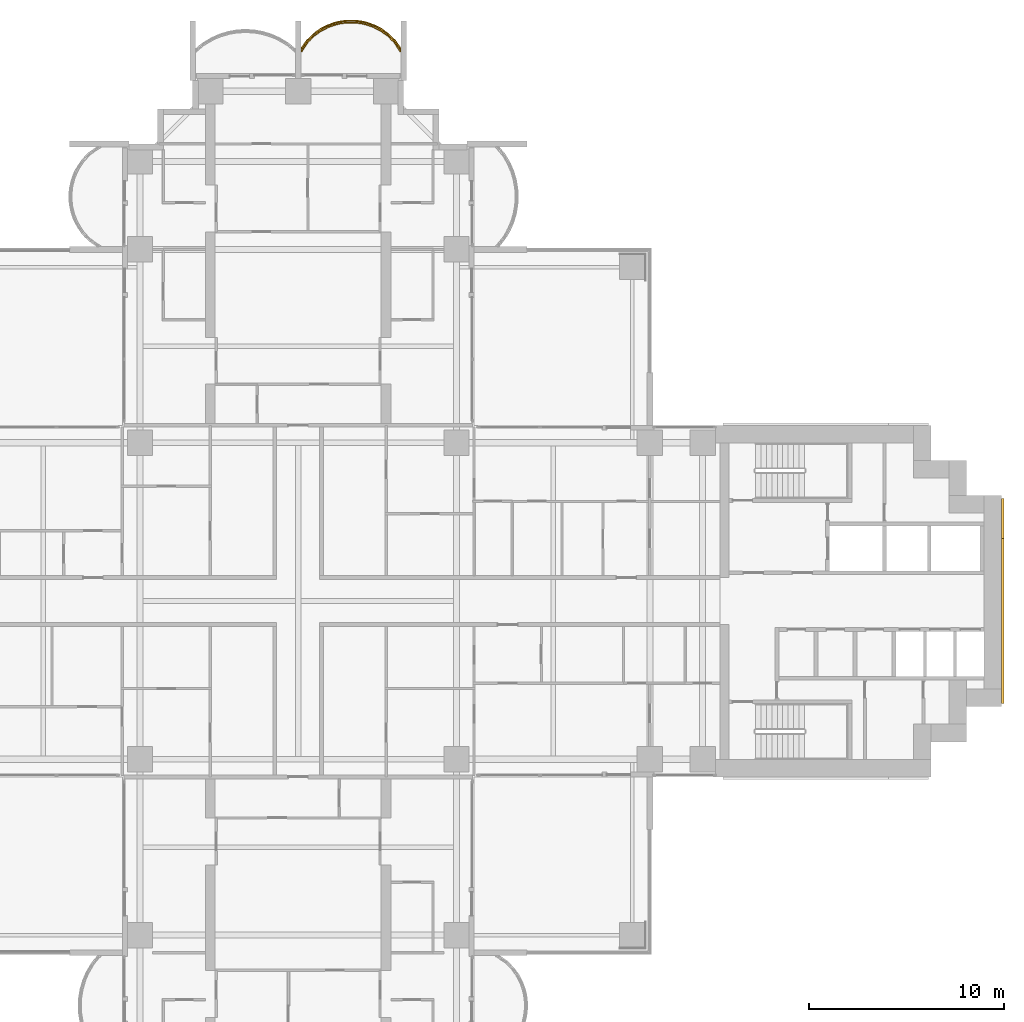
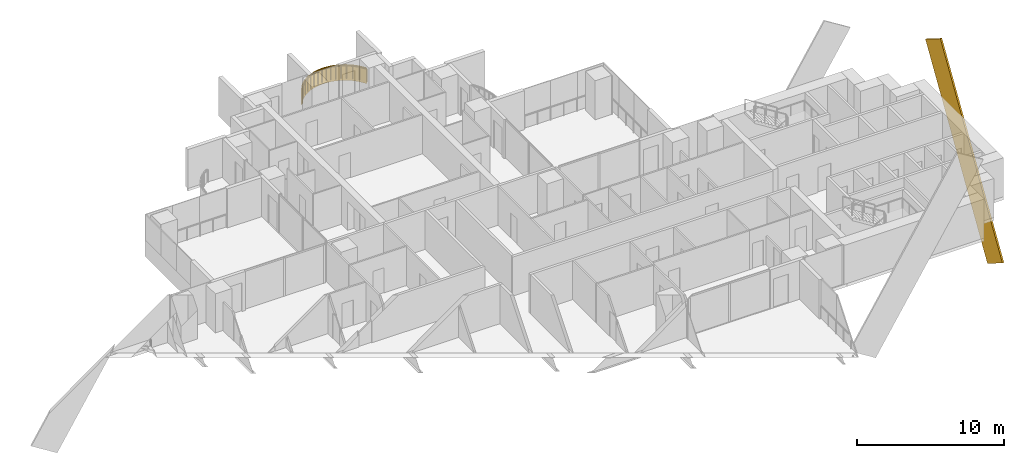
# One storey, part 23 of 23: 2 coverings, 1 railing.
"""IFC4 building model written with IfcOpenShell, lengths in metres."""

from ifc_helpers import new_model, si_unit, direction, frame, origin, origin_2d, place, context, subcontext, project, spatial, polyline, rectangle, outline, extrude, material, layer, layer_set, material_profile, profile_set, type_object, element, save


model = new_model("IFC4")

# Units and contexts
model_context = context("Model", 3, precision=1e-05, world=origin(), true_north=direction((0.0, 1.0)))
body_context = subcontext(model_context, "Body", "Model", "MODEL_VIEW")
ifc_project = project(units=[si_unit("LENGTHUNIT", "METRE"), si_unit("AREAUNIT", "SQUARE_METRE"), si_unit("VOLUMEUNIT", "CUBIC_METRE"), si_unit("PLANEANGLEUNIT", "RADIAN"), si_unit("MASSUNIT", "GRAM", prefix="KILO")], contexts=[model_context])

# Site, building, storey
site_placement = place(None, origin())
site = spatial("IfcSite", under=ifc_project, at=site_placement, CompositionType="ELEMENT")
building_placement = place(site_placement, origin())
building = spatial("IfcBuilding", under=site, at=building_placement, Name="Perihelion Cross Residences", CompositionType="ELEMENT")
storey_placement = place(building_placement, frame((0.0, 0.0, 85.5)))
storey = spatial("IfcBuildingStorey", under=building, at=storey_placement, Name="L19", CompositionType="ELEMENT", Elevation=85.5)

# Covering
ifc_material_1 = material(Name="Bronze anodised aluminium", Category="aluminium")
ifc_layer = layer(ifc_material_1, 0.070068359375)
ifc_layer_set = layer_set([ifc_layer], Name="Balcony fascia 1300")
covering_type_1 = type_object("IfcCoveringType", Name="Balcony fascia 1300", PredefinedType="CLADDING", material=ifc_layer_set)
covering_1_placement = place(storey_placement, frame((0.0, 0.0, -0.199951171875)))
element("IfcCovering", 1, at=covering_1_placement, inside=storey, type_object=covering_type_1, Name="Fascia BF1 L19 north tip north bay 1", PredefinedType="CLADDING", context=body_context, shape_type="SweptSolid", body=[
    extrude(outline(polyline([(4.963134765625, 28.722412109375), (4.61474609375, 29.060791015625), (4.2666015625, 29.308837890625), (3.91845703125, 29.4912109375), (3.5703125, 29.620361328125), (3.22216796875, 29.703369140625), (2.8740234375, 29.743896484375), (2.52587890625, 29.743896484375), (2.177734375, 29.703369140625), (1.82958984375, 29.620361328125), (1.4814453125, 29.4912109375), (1.13330078125, 29.308837890625), (0.78515625, 29.060791015625), (0.43701171875, 28.722412109375), (0.14990234375, 28.320556640625), (0.14990234375, 28.199951171875), (0.489990234375, 28.6767578125), (0.830078125, 29.007080078125), (1.169921875, 29.2490234375), (1.510009765625, 29.42724609375), (1.85009765625, 29.553466796875), (2.18994140625, 29.63427734375), (2.530029296875, 29.674072265625), (2.8701171875, 29.674072265625), (3.2099609375, 29.63427734375), (3.550048828125, 29.553466796875), (3.889892578125, 29.42724609375), (4.22998046875, 29.2490234375), (4.570068359375, 29.007080078125), (4.909912109375, 28.6767578125), (5.25, 28.199951171875), (5.25, 28.320556640625), (4.963134765625, 28.722412109375)])), origin(), (0.0, 0.0, 1.0), 1.300048828125),
])

# Railing
ifc_material_2 = material(Name="Bronze anodised aluminium", Category="aluminium")
railing_type = type_object("IfcRailingType", Name="Balcony guard 1100", PredefinedType="GUARDRAIL", material=ifc_material_2)
railing_placement = place(storey_placement, frame((5.22509765625, 28.139892578125, 0.0)))
element("IfcRailing", 2, at=railing_placement, inside=storey, type_object=railing_type, Name="Guard GU1 L19 north tip north bay 1 balcony", PredefinedType="GUARDRAIL", context=body_context, shape_type="SweptSolid", body=[
    extrude(rectangle(XDim=0.048095703125, YDim=0.048095703125, at=origin_2d()), frame((0.0, 0.0, 1.076171875), z_axis=(-0.55144309028, 0.834212513801, 0.0), x_axis=(-0.834212513801, -0.55144309028, 0.0)), (0.0, 0.0, 1.0), 0.571533203125),
    extrude(rectangle(XDim=0.048095703125, YDim=0.048095703125, at=origin_2d()), frame((-0.315185546875, 0.476806640625, 1.076171875), z_axis=(-0.717080736691, 0.696990112603, 0.0), x_axis=(-0.696990112603, -0.717080736691, 0.0)), (0.0, 0.0, 1.0), 0.473876953125),
    extrude(rectangle(XDim=0.048095703125, YDim=0.048095703125, at=origin_2d()), frame((-0.655029296875, 0.80712890625, 1.076171875), z_axis=(-0.814562360662, 0.580075995532, 0.0), x_axis=(-0.580075995532, -0.814562360662, 0.0)), (0.0, 0.0, 1.0), 0.41748046875),
    extrude(rectangle(XDim=0.048095703125, YDim=0.048095703125, at=origin_2d()), frame((-0.9951171875, 1.04931640625, 1.076171875), z_axis=(-0.886005761733, 0.463674228502, 0.0), x_axis=(-0.463674228502, -0.886005761733, 0.0)), (0.0, 0.0, 1.0), 0.3837890625),
    extrude(rectangle(XDim=0.048095703125, YDim=0.048095703125, at=origin_2d()), frame((-1.335205078125, 1.227294921875, 1.076171875), z_axis=(-0.937431552165, 0.348169621027, 0.0), x_axis=(-0.348169621027, -0.937431552165, 0.0)), (0.0, 0.0, 1.0), 0.362548828125),
    extrude(rectangle(XDim=0.048095703125, YDim=0.048095703125, at=origin_2d()), frame((-1.675048828125, 1.353515625, 1.076171875), z_axis=(-0.972753741142, 0.231840805498, 0.0), x_axis=(-0.231840805498, -0.972753741142, 0.0)), (0.0, 0.0, 1.0), 0.349609375),
    extrude(rectangle(XDim=0.048095703125, YDim=0.048095703125, at=origin_2d()), frame((-2.01513671875, 1.4345703125, 1.076171875), z_axis=(-0.993295952156, 0.11559909788, 0.0), x_axis=(-0.11559909788, -0.993295952156, 0.0)), (0.0, 0.0, 1.0), 0.342041015625),
    extrude(rectangle(XDim=0.048095703125, YDim=0.048095703125, at=origin_2d()), frame((-2.35498046875, 1.47412109375, 1.076171875), z_axis=(-1.0, 0.0, 0.0), x_axis=(0.0, -1.0, 0.0)), (0.0, 0.0, 1.0), 0.340087890625),
    extrude(rectangle(XDim=0.048095703125, YDim=0.048095703125, at=origin_2d()), frame((-2.695068359375, 1.47412109375, 1.076171875), z_axis=(-0.993305477634, -0.11551721994, 0.0), x_axis=(0.11551721994, -0.993305477634, 0.0)), (0.0, 0.0, 1.0), 0.34228515625),
    extrude(rectangle(XDim=0.048095703125, YDim=0.048095703125, at=origin_2d()), frame((-3.03515625, 1.4345703125, 1.076171875), z_axis=(-0.972716168284, -0.231998396458, 0.0), x_axis=(0.231998396458, -0.972716168284, 0.0)), (0.0, 0.0, 1.0), 0.349365234375),
    extrude(rectangle(XDim=0.048095703125, YDim=0.048095703125, at=origin_2d()), frame((-3.375, 1.353515625, 1.076171875), z_axis=(-0.93751311099, -0.347949948587, 0.0), x_axis=(0.347949948587, -0.93751311099, 0.0)), (0.0, 0.0, 1.0), 0.36279296875),
    extrude(rectangle(XDim=0.048095703125, YDim=0.048095703125, at=origin_2d()), frame((-3.715087890625, 1.227294921875, 1.076171875), z_axis=(-0.886005761733, -0.463674228502, 0.0), x_axis=(0.463674228502, -0.886005761733, 0.0)), (0.0, 0.0, 1.0), 0.3837890625),
    extrude(rectangle(XDim=0.048095703125, YDim=0.048095703125, at=origin_2d()), frame((-4.05517578125, 1.04931640625, 1.076171875), z_axis=(-0.814365457194, -0.580352394782, 0.0), x_axis=(0.580352394782, -0.814365457194, 0.0)), (0.0, 0.0, 1.0), 0.417236328125),
    extrude(rectangle(XDim=0.048095703125, YDim=0.048095703125, at=origin_2d()), frame((-4.39501953125, 0.80712890625, 1.076171875), z_axis=(-0.717330852669, -0.69673269466, 0.0), x_axis=(0.69673269466, -0.717330852669, 0.0)), (0.0, 0.0, 1.0), 0.47412109375),
    extrude(rectangle(XDim=0.048095703125, YDim=0.048095703125, at=origin_2d()), frame((-4.735107421875, 0.476806640625, 1.076171875), z_axis=(-0.551145731138, -0.834409002258, 0.0), x_axis=(0.834409002258, -0.551145731138, 0.0)), (0.0, 0.0, 1.0), 0.571533203125),
    extrude(rectangle(XDim=0.0419921875, YDim=0.0419921875, at=origin_2d()), origin(), (0.0, 0.0, 1.0), 1.052001953125),
    extrude(rectangle(XDim=0.0419921875, YDim=0.0419921875, at=origin_2d()), frame((-0.315185546875, 0.476806640625, 0.0)), (0.0, 0.0, 1.0), 1.052001953125),
    extrude(rectangle(XDim=0.0419921875, YDim=0.0419921875, at=origin_2d()), frame((-0.655029296875, 0.80712890625, 0.0)), (0.0, 0.0, 1.0), 1.052001953125),
    extrude(rectangle(XDim=0.0419921875, YDim=0.0419921875, at=origin_2d()), frame((-0.9951171875, 1.04931640625, 0.0)), (0.0, 0.0, 1.0), 1.052001953125),
    extrude(rectangle(XDim=0.0419921875, YDim=0.0419921875, at=origin_2d()), frame((-1.335205078125, 1.227294921875, 0.0)), (0.0, 0.0, 1.0), 1.052001953125),
    extrude(rectangle(XDim=0.0419921875, YDim=0.0419921875, at=origin_2d()), frame((-1.675048828125, 1.353515625, 0.0)), (0.0, 0.0, 1.0), 1.052001953125),
    extrude(rectangle(XDim=0.0419921875, YDim=0.0419921875, at=origin_2d()), frame((-2.01513671875, 1.4345703125, 0.0)), (0.0, 0.0, 1.0), 1.052001953125),
    extrude(rectangle(XDim=0.0419921875, YDim=0.0419921875, at=origin_2d()), frame((-2.35498046875, 1.47412109375, 0.0)), (0.0, 0.0, 1.0), 1.052001953125),
    extrude(rectangle(XDim=0.0419921875, YDim=0.0419921875, at=origin_2d()), frame((-2.695068359375, 1.47412109375, 0.0)), (0.0, 0.0, 1.0), 1.052001953125),
    extrude(rectangle(XDim=0.0419921875, YDim=0.0419921875, at=origin_2d()), frame((-3.03515625, 1.4345703125, 0.0)), (0.0, 0.0, 1.0), 1.052001953125),
    extrude(rectangle(XDim=0.0419921875, YDim=0.0419921875, at=origin_2d()), frame((-3.375, 1.353515625, 0.0)), (0.0, 0.0, 1.0), 1.052001953125),
    extrude(rectangle(XDim=0.0419921875, YDim=0.0419921875, at=origin_2d()), frame((-3.715087890625, 1.227294921875, 0.0)), (0.0, 0.0, 1.0), 1.052001953125),
    extrude(rectangle(XDim=0.0419921875, YDim=0.0419921875, at=origin_2d()), frame((-4.05517578125, 1.04931640625, 0.0)), (0.0, 0.0, 1.0), 1.052001953125),
    extrude(rectangle(XDim=0.0419921875, YDim=0.0419921875, at=origin_2d()), frame((-4.39501953125, 0.80712890625, 0.0)), (0.0, 0.0, 1.0), 1.052001953125),
    extrude(rectangle(XDim=0.0419921875, YDim=0.0419921875, at=origin_2d()), frame((-4.735107421875, 0.476806640625, 0.0)), (0.0, 0.0, 1.0), 1.052001953125),
    extrude(rectangle(XDim=0.0419921875, YDim=0.0419921875, at=origin_2d()), frame((-5.050048828125, 0.0, 0.0)), (0.0, 0.0, 1.0), 1.052001953125),
])

# Covering
ifc_material_3 = material(Name="Bronze anodised aluminium", Category="aluminium")
ifc_material_profile = material_profile(ifc_material_3, rectangle(XDim=0.125, YDim=2.39990234375, at=origin_2d()), Name="Bronze cladding band 2400")
ifc_profile_set = profile_set([ifc_material_profile], Name="Bronze anodised aluminium")
covering_type_2 = type_object("IfcCoveringType", Name="Bronze cladding band 2400", PredefinedType="CLADDING", material=ifc_profile_set)
covering_2_placement = place(storey_placement, frame((36.0625, -4.232421875, -6.24755859375), z_axis=(0.0, 0.529924750763, 0.848044667767), x_axis=(-1.0, 0.0, 0.0)))
element("IfcCovering", 3, at=covering_2_placement, inside=storey, type_object=covering_type_2, Name="Core cladding band, east core", PredefinedType="CLADDING", context=body_context, shape_type="SweptSolid", body=[
    extrude(rectangle(XDim=0.125, YDim=2.39990234375, at=origin_2d()), origin(), (0.0, 0.0, 1.0), 15.9736328125),
])

save(model, "model.ifc")
